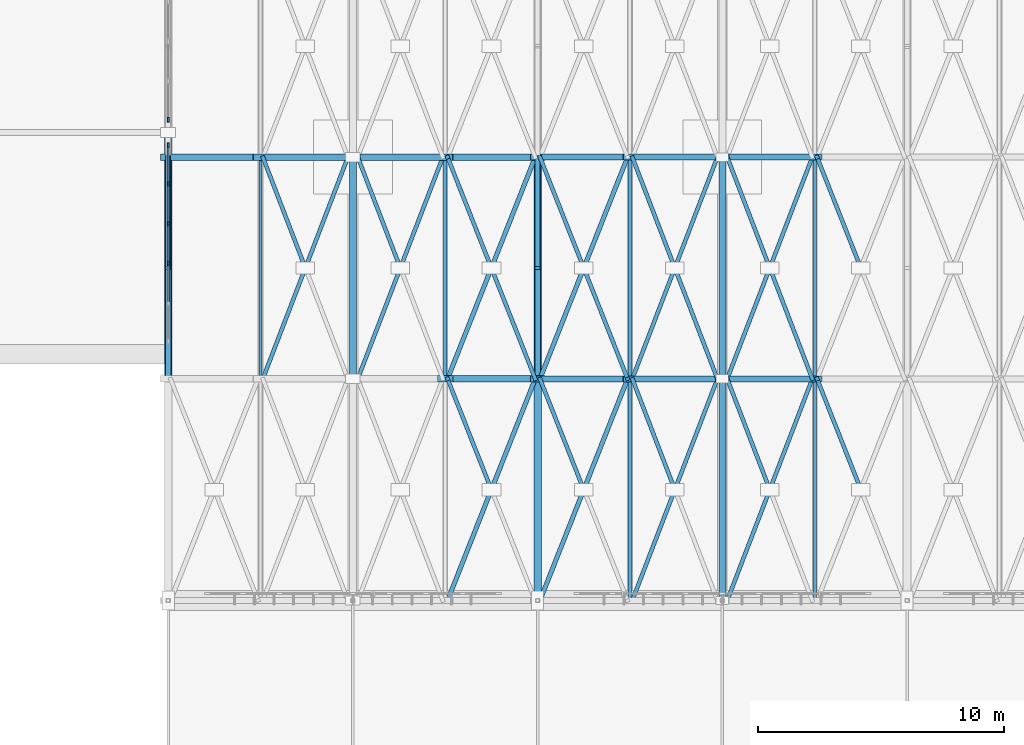
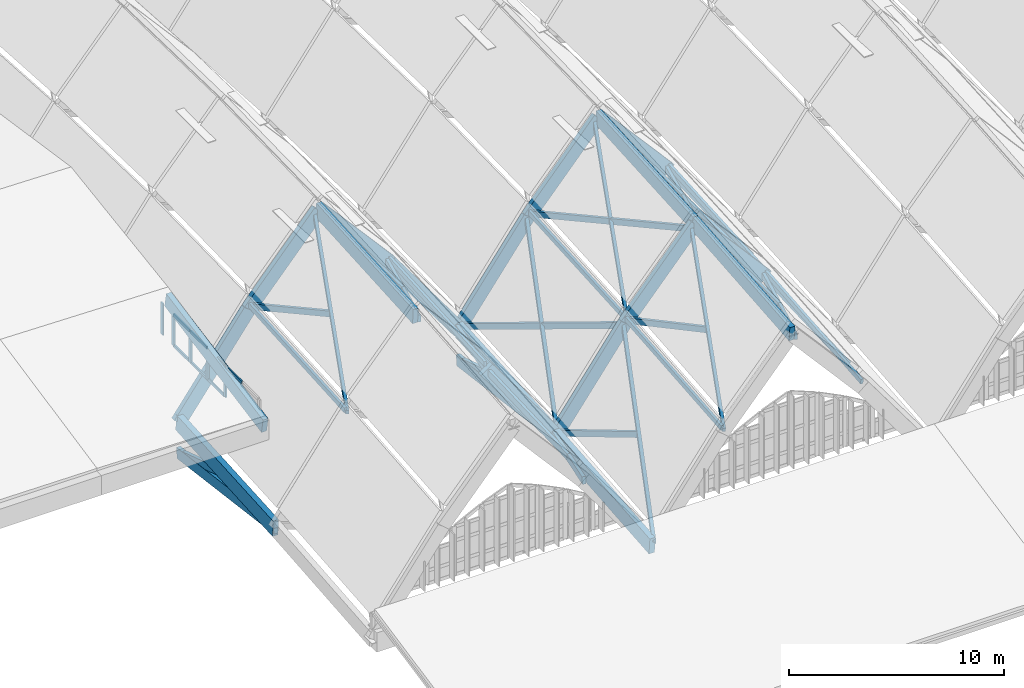
# One storey, part 25 of 93: 48 members, 18 beams, 2 elements without a shape of their own.
"""IFC4 building model written with IfcOpenShell, lengths in metres."""

from ifc_helpers import new_model, si_unit, direction, frame, origin, origin_2d, place, context, subcontext, project, spatial, rectangle, extrude, material, material_profile, profile_set, type_object, element, aggregate, save


model = new_model("IFC4")

# Units and contexts
model_context = context("Model", 3, precision=1e-05, world=origin(), true_north=direction((0.0, 1.0)))
body_context = subcontext(model_context, "Body", "Model", "MODEL_VIEW")
ifc_project = project(units=[si_unit("LENGTHUNIT", "METRE"), si_unit("AREAUNIT", "SQUARE_METRE"), si_unit("VOLUMEUNIT", "CUBIC_METRE"), si_unit("PLANEANGLEUNIT", "RADIAN"), si_unit("MASSUNIT", "GRAM", prefix="KILO")], contexts=[model_context])

# Site, building, storey
site_placement = place(None, origin())
site = spatial("IfcSite", under=ifc_project, at=site_placement, CompositionType="ELEMENT")
building_placement = place(site_placement, origin())
building = spatial("IfcBuilding", under=site, at=building_placement, Name="Vourika Railside Aquatics Centre", CompositionType="ELEMENT")
storey_placement = place(building_placement, frame((0.0, 0.0, 21.89990234375)))
storey = spatial("IfcBuildingStorey", under=building, at=storey_placement, Name="Roof", CompositionType="ELEMENT", Elevation=21.89990234375)

# Beams
ifc_material_1 = material(Name="Glulam GL32h", Category="wood")
ifc_material_profile_1 = material_profile(ifc_material_1, rectangle(XDim=0.239990234375, YDim=0.719970703125, at=origin_2d()), Name="GL32h 240x720")
ifc_profile_set_1 = profile_set([ifc_material_profile_1], Name="Glulam GL32h")
beam_type_1 = type_object("IfcBeamType", Name="BM-GL-ARCH-240x720", PredefinedType="BEAM", material=ifc_profile_set_1)
beam_1_placement = place(storey_placement, frame((51.0, 21.0, -10.89990234375), z_axis=(0.592383087934, 0.0, 0.805656426233), x_axis=(0.0, 1.0, 0.0)))
element("IfcBeam", 1, at=beam_1_placement, inside=storey, type_object=beam_type_1, Name="Pointed Glulam Vault Arch Rib GAR-0039", PredefinedType="BEAM", context=body_context, shape_type="SweptSolid", body=[
    extrude(rectangle(XDim=0.239990234375, YDim=0.719970703125, at=origin_2d()), origin(), (0.0, 0.0, 1.0), 6.330322265625),
])
for number, where, z_axis, x_axis, name in (
    (2, (54.75, 21.0, -5.7998046875), (0.657279819973, 0.0, 0.753646626912), (0.0, 1.0, 0.0), "Pointed Glulam Vault Arch Rib GAR-0040"),
    (3, (58.5, 21.0, -1.5), (0.657279819973, 0.0, -0.753646626912), (0.0, 1.0, 0.0), "Pointed Glulam Vault Arch Rib GAR-0041"),
):
    element("IfcBeam", number, at=place(storey_placement, frame(where, z_axis=z_axis, x_axis=x_axis)), inside=storey, type_object=beam_type_1, Name=name, PredefinedType="BEAM", context=body_context, shape_type="SweptSolid", body=[
        extrude(rectangle(XDim=0.239990234375, YDim=0.719970703125, at=origin_2d()), origin(), (0.0, 0.0, 1.0), 5.705322265625),
    ])
beam_2_placement = place(storey_placement, frame((51.0, 30.0, -10.314208984375), z_axis=(0.592401494544, 0.0, 0.805642891896), x_axis=(0.0, 1.0, 0.0)))
element("IfcBeam", 4, at=beam_2_placement, inside=storey, type_object=beam_type_1, Name="Pointed Glulam Vault Arch Rib GAR-0043", PredefinedType="BEAM", context=body_context, shape_type="SweptSolid", body=[
    extrude(rectangle(XDim=0.239990234375, YDim=0.719970703125, at=origin_2d()), origin(), (0.0, 0.0, 1.0), 6.330078125),
])
for number, where, z_axis, x_axis, name in (
    (5, (54.75, 30.0, -5.21435546875), (0.657258623263, 0.0, 0.75366511273), (0.0, 1.0, 0.0), "Pointed Glulam Vault Arch Rib GAR-0044"),
    (6, (58.5, 30.0, -0.914306640625), (0.657258623263, 0.0, -0.75366511273), (0.0, 1.0, 0.0), "Pointed Glulam Vault Arch Rib GAR-0045"),
):
    element("IfcBeam", number, at=place(storey_placement, frame(where, z_axis=z_axis, x_axis=x_axis)), inside=storey, type_object=beam_type_1, Name=name, PredefinedType="BEAM", context=body_context, shape_type="SweptSolid", body=[
        extrude(rectangle(XDim=0.239990234375, YDim=0.719970703125, at=origin_2d()), origin(), (0.0, 0.0, 1.0), 5.70556640625),
    ])
ifc_material_profile_2 = material_profile(ifc_material_1, rectangle(XDim=0.260009765625, YDim=0.760009765625, at=origin_2d()), Name="GL32h 260x760")
ifc_profile_set_2 = profile_set([ifc_material_profile_2], Name="Glulam GL32h")
beam_type_2 = type_object("IfcBeamType", Name="BM-GL-ARCH-260x760", PredefinedType="BEAM", material=ifc_profile_set_2)
beam_3_placement = place(storey_placement, frame((47.25, 21.0, -5.7998046875), z_axis=(0.592383087934, 0.0, -0.805656426233), x_axis=(0.0, 1.0, 0.0)))
element("IfcBeam", 7, at=beam_3_placement, inside=storey, type_object=beam_type_2, Name="Pointed Glulam Vault Arch Rib GAR-0008", PredefinedType="BEAM", context=body_context, shape_type="SweptSolid", body=[
    extrude(rectangle(XDim=0.260009765625, YDim=0.760009765625, at=origin_2d()), origin(), (0.0, 0.0, 1.0), 6.330322265625),
])
beam_4_placement = place(storey_placement, frame((36.0, 30.0, -10.314208984375), z_axis=(0.592401494544, 0.0, 0.805642891896), x_axis=(0.0, 1.0, 0.0)))
element("IfcBeam", 8, at=beam_4_placement, inside=storey, type_object=beam_type_2, Name="Pointed Glulam Vault Arch Rib GAR-0009", PredefinedType="BEAM", context=body_context, shape_type="SweptSolid", body=[
    extrude(rectangle(XDim=0.260009765625, YDim=0.760009765625, at=origin_2d()), origin(), (0.0, 0.0, 1.0), 6.330078125),
])
for number, where, z_axis, x_axis, name in (
    (9, (39.75, 30.0, -5.21435546875), (0.657258623263, 0.0, 0.75366511273), (0.0, 1.0, 0.0), "Pointed Glulam Vault Arch Rib GAR-0010"),
    (10, (43.5, 30.0, -0.914306640625), (0.657258623263, 0.0, -0.75366511273), (0.0, 1.0, 0.0), "Pointed Glulam Vault Arch Rib GAR-0011"),
):
    element("IfcBeam", number, at=place(storey_placement, frame(where, z_axis=z_axis, x_axis=x_axis)), inside=storey, type_object=beam_type_2, Name=name, PredefinedType="BEAM", context=body_context, shape_type="SweptSolid", body=[
        extrude(rectangle(XDim=0.260009765625, YDim=0.760009765625, at=origin_2d()), origin(), (0.0, 0.0, 1.0), 5.70556640625),
    ])
beam_5_placement = place(storey_placement, frame((47.25, 30.0, -5.21435546875), z_axis=(0.592401494544, 0.0, -0.805642891896), x_axis=(0.0, 1.0, 0.0)))
element("IfcBeam", 11, at=beam_5_placement, inside=storey, type_object=beam_type_2, Name="Pointed Glulam Vault Arch Rib GAR-0012", PredefinedType="BEAM", context=body_context, shape_type="SweptSolid", body=[
    extrude(rectangle(XDim=0.260009765625, YDim=0.760009765625, at=origin_2d()), origin(), (0.0, 0.0, 1.0), 6.330078125),
])
ifc_material_profile_3 = material_profile(ifc_material_1, rectangle(XDim=0.280029296875, YDim=0.800048828125, at=origin_2d()), Name="GL32h 280x800")
ifc_profile_set_3 = profile_set([ifc_material_profile_3], Name="Glulam GL32h")
beam_type_3 = type_object("IfcBeamType", Name="BM-GL-RIDGE-280x800", PredefinedType="BEAM", material=ifc_profile_set_3)
beam_6_placement = place(storey_placement, frame((58.5, 12.0, -2.2998046875), z_axis=(0.0, 0.996074546839, 0.088518343518), x_axis=(-1.0, 0.0, 0.0)))
element("IfcBeam", 12, at=beam_6_placement, inside=storey, type_object=beam_type_3, Name="Vault Pointed Ridge Beam GRB-0063", PredefinedType="BEAM", context=body_context, shape_type="SweptSolid", body=[
    extrude(rectangle(XDim=0.280029296875, YDim=0.800048828125, at=origin_2d()), origin(), (0.0, 0.0, 1.0), 9.035400390625),
])
beam_7_placement = place(storey_placement, frame((58.5, 21.0, -1.5), z_axis=(0.0, 0.997889191565, 0.064939674766), x_axis=(-1.0, 0.0, 0.0)))
element("IfcBeam", 13, at=beam_7_placement, inside=storey, type_object=beam_type_3, Name="Vault Pointed Ridge Beam GRB-0064", PredefinedType="BEAM", context=body_context, shape_type="SweptSolid", body=[
    extrude(rectangle(XDim=0.280029296875, YDim=0.800048828125, at=origin_2d()), origin(), (0.0, 0.0, 1.0), 9.01904296875),
])
beam_8_placement = place(storey_placement, frame((36.0, 22.0, -5.699951171875), z_axis=(0.0, 0.982224343005, 0.187710788207), x_axis=(-1.0, 0.0, 0.0)))
element("IfcBeam", 14, at=beam_8_placement, inside=storey, type_object=beam_type_3, Name="Diving Roof Truss Arch Rib DAR-0255", PredefinedType="BEAM", context=body_context, shape_type="SweptSolid", body=[
    extrude(rectangle(XDim=0.280029296875, YDim=0.800048828125, at=origin_2d()), origin(), (0.0, 0.0, 1.0), 9.162841796875),
])
ifc_material_profile_4 = material_profile(ifc_material_1, rectangle(XDim=0.280029296875, YDim=0.840087890625, at=origin_2d()), Name="GL32h 280x840")
ifc_profile_set_4 = profile_set([ifc_material_profile_4], Name="Glulam GL32h")
beam_type_4 = type_object("IfcBeamType", Name="BM-GL-RIDGE-280x840", PredefinedType="BEAM", material=ifc_profile_set_4)
beam_9_placement = place(storey_placement, frame((43.5, 21.0, -1.5), z_axis=(0.0, 0.997889191565, 0.064939674766), x_axis=(-1.0, 0.0, 0.0)))
element("IfcBeam", 15, at=beam_9_placement, inside=storey, type_object=beam_type_4, Name="Vault Pointed Ridge Beam GRB-0030", PredefinedType="BEAM", context=body_context, shape_type="SweptSolid", body=[
    extrude(rectangle(XDim=0.280029296875, YDim=0.840087890625, at=origin_2d()), origin(), (0.0, 0.0, 1.0), 9.01904296875),
])
ifc_material_profile_5 = material_profile(ifc_material_1, rectangle(XDim=0.300048828125, YDim=0.89990234375, at=origin_2d()), Name="GL32h 300x900")
ifc_profile_set_5 = profile_set([ifc_material_profile_5], Name="Glulam GL32h")
beam_type_5 = type_object("IfcBeamType", Name="BM-GL-VAL-300x900", PredefinedType="BEAM", material=ifc_profile_set_5)
beam_10_placement = place(storey_placement, frame((36.0, 21.0, -10.89990234375), z_axis=(0.0, 0.997889191565, 0.064939674766), x_axis=(-1.0, 0.0, 0.0)))
element("IfcBeam", 16, at=beam_10_placement, inside=storey, type_object=beam_type_5, Name="Vault Valley Arch Rib VTR-002", PredefinedType="BEAM", context=body_context, shape_type="SweptSolid", body=[
    extrude(rectangle(XDim=0.300048828125, YDim=0.89990234375, at=origin_2d()), origin(), (0.0, 0.0, 1.0), 9.01904296875),
])
beam_11_placement = place(storey_placement, frame((51.0, 12.0, -11.699951171875), z_axis=(0.0, 0.996072164085, 0.088545151956), x_axis=(-1.0, 0.0, 0.0)))
element("IfcBeam", 17, at=beam_11_placement, inside=storey, type_object=beam_type_5, Name="Vault Valley Arch Rib VTR-007", PredefinedType="BEAM", context=body_context, shape_type="SweptSolid", body=[
    extrude(rectangle(XDim=0.300048828125, YDim=0.89990234375, at=origin_2d()), origin(), (0.0, 0.0, 1.0), 9.035400390625),
])
beam_12_placement = place(storey_placement, frame((51.0, 21.0, -10.89990234375), z_axis=(0.0, 0.997889191565, 0.064939674766), x_axis=(-1.0, 0.0, 0.0)))
element("IfcBeam", 18, at=beam_12_placement, inside=storey, type_object=beam_type_5, Name="Vault Valley Arch Rib VTR-008", PredefinedType="BEAM", context=body_context, shape_type="SweptSolid", body=[
    extrude(rectangle(XDim=0.300048828125, YDim=0.89990234375, at=origin_2d()), origin(), (0.0, 0.0, 1.0), 9.01904296875),
])

# Curtain wall, members
ifc_material_2 = material(Name="Anodized thermally broken aluminium", Category="aluminium")
curtain_wall_type = type_object("IfcCurtainWallType", Name="CW-DIVEE", PredefinedType="NOTDEFINED", material=ifc_material_2)
curtain_wall_1_placement = place(storey_placement, origin())
curtain_wall_1 = element("IfcCurtainWall", 19, at=curtain_wall_1_placement, inside=storey, type_object=curtain_wall_type, Name="Diving Hall East Clerestory Curtain Wall 1", PredefinedType="NOTDEFINED")
ifc_material_3 = material(Name="Anodized aluminium mullion", Category="aluminium")
ifc_material_profile_6 = material_profile(ifc_material_3, rectangle(XDim=0.075927734375, YDim=0.205078125, at=origin_2d()), Name="ALU-M 76x205")
ifc_profile_set_6 = profile_set([ifc_material_profile_6], Name="Anodized aluminium mullion")
member_type_1 = type_object("IfcMemberType", Name="CWM-DIVEE", PredefinedType="MULLION", material=ifc_profile_set_6)
member_1_placement = place(storey_placement, frame((36.0, 25.696044921875, -6.2998046875), z_axis=(0.0, 0.0, 1.0), x_axis=(-1.0, 0.0, 0.0)))
member_1 = element("IfcMember", 20, at=member_1_placement, type_object=member_type_1, Name="CW06 mullion 3", PredefinedType="MULLION", context=body_context, shape_type="SweptSolid", body=[
    extrude(rectangle(XDim=0.075927734375, YDim=0.205078125, at=origin_2d()), origin(), (0.0, 0.0, 1.0), 1.7998046875),
])
member_2_placement = place(storey_placement, frame((36.0, 27.303955078125, -6.2998046875), z_axis=(0.0, 0.0, 1.0), x_axis=(-1.0, 0.0, 0.0)))
member_2 = element("IfcMember", 21, at=member_2_placement, type_object=member_type_1, Name="CW06 mullion 4", PredefinedType="MULLION", context=body_context, shape_type="SweptSolid", body=[
    extrude(rectangle(XDim=0.075927734375, YDim=0.205078125, at=origin_2d()), origin(), (0.0, 0.0, 1.0), 1.7998046875),
])
member_3_placement = place(storey_placement, frame((36.0, 28.912109375, -6.2998046875), z_axis=(0.0, 0.0, 1.0), x_axis=(-1.0, 0.0, 0.0)))
member_3 = element("IfcMember", 22, at=member_3_placement, type_object=member_type_1, Name="CW06 mullion 5", PredefinedType="MULLION", context=body_context, shape_type="SweptSolid", body=[
    extrude(rectangle(XDim=0.075927734375, YDim=0.205078125, at=origin_2d()), origin(), (0.0, 0.0, 1.0), 1.7998046875),
])
member_4_placement = place(storey_placement, frame((36.0, 30.48193359375, -6.2998046875), z_axis=(0.0, 0.0, 1.0), x_axis=(-1.0, 0.0, 0.0)))
member_4 = element("IfcMember", 23, at=member_4_placement, type_object=member_type_1, Name="CW06 mullion 6", PredefinedType="MULLION", context=body_context, shape_type="SweptSolid", body=[
    extrude(rectangle(XDim=0.075927734375, YDim=0.205078125, at=origin_2d()), origin(), (0.0, 0.0, 1.0), 1.7998046875),
])

# Curtain wall, member
curtain_wall_2_placement = place(storey_placement, origin())
curtain_wall_2 = element("IfcCurtainWall", 24, at=curtain_wall_2_placement, inside=storey, type_object=curtain_wall_type, Name="Diving Hall East Clerestory Curtain Wall 2", PredefinedType="NOTDEFINED")
member_5_placement = place(storey_placement, frame((36.0, 31.51806640625, -6.2998046875), z_axis=(0.0, 0.0, 1.0), x_axis=(-1.0, 0.0, 0.0)))
member_5 = element("IfcMember", 25, at=member_5_placement, type_object=member_type_1, Name="CW06 mullion 1", PredefinedType="MULLION", context=body_context, shape_type="SweptSolid", body=[
    extrude(rectangle(XDim=0.075927734375, YDim=0.205078125, at=origin_2d()), origin(), (0.0, 0.0, 1.0), 1.7998046875),
])
aggregate(curtain_wall_2, [member_5])

# Member
ifc_material_4 = material(Name="Anodized aluminium transom", Category="aluminium")
ifc_material_profile_7 = material_profile(ifc_material_4, rectangle(XDim=0.075927734375, YDim=0.162109375, at=origin_2d()), Name="ALU-T 76x162")
ifc_profile_set_7 = profile_set([ifc_material_profile_7], Name="Anodized aluminium transom")
member_type_2 = type_object("IfcMemberType", Name="CWT-DIVEE", PredefinedType="USERDEFINED", material=ifc_profile_set_7)
member_6_placement = place(storey_placement, frame((36.0, 24.1259765625, -4.537841796875), z_axis=(0.0, 1.0, 0.0), x_axis=(-1.0, 0.0, 0.0)))
member_6 = element("IfcMember", 26, at=member_6_placement, type_object=member_type_2, Name="CW06 transom 2.2", ObjectType="TRANSOM", PredefinedType="USERDEFINED", context=body_context, shape_type="SweptSolid", body=[
    extrude(rectangle(XDim=0.075927734375, YDim=0.162109375, at=origin_2d()), origin(), (0.0, 0.0, 1.0), 1.531982421875),
])

member_7_placement = place(storey_placement, frame((36.0, 25.73388671875, -6.261962890625), z_axis=(0.0, 1.0, 0.0), x_axis=(-1.0, 0.0, 0.0)))
member_7 = element("IfcMember", 27, at=member_7_placement, type_object=member_type_2, Name="CW06 transom 3.1", ObjectType="TRANSOM", PredefinedType="USERDEFINED", context=body_context, shape_type="SweptSolid", body=[
    extrude(rectangle(XDim=0.075927734375, YDim=0.162109375, at=origin_2d()), origin(), (0.0, 0.0, 1.0), 1.5322265625),
])

member_8_placement = place(storey_placement, frame((36.0, 25.73388671875, -4.537841796875), z_axis=(0.0, 1.0, 0.0), x_axis=(-1.0, 0.0, 0.0)))
member_8 = element("IfcMember", 28, at=member_8_placement, type_object=member_type_2, Name="CW06 transom 3.2", ObjectType="TRANSOM", PredefinedType="USERDEFINED", context=body_context, shape_type="SweptSolid", body=[
    extrude(rectangle(XDim=0.075927734375, YDim=0.162109375, at=origin_2d()), origin(), (0.0, 0.0, 1.0), 1.5322265625),
])

member_9_placement = place(storey_placement, frame((36.0, 27.342041015625, -6.261962890625), z_axis=(0.0, 1.0, 0.0), x_axis=(-1.0, 0.0, 0.0)))
member_9 = element("IfcMember", 29, at=member_9_placement, type_object=member_type_2, Name="CW06 transom 4.1", ObjectType="TRANSOM", PredefinedType="USERDEFINED", context=body_context, shape_type="SweptSolid", body=[
    extrude(rectangle(XDim=0.075927734375, YDim=0.162109375, at=origin_2d()), origin(), (0.0, 0.0, 1.0), 1.531982421875),
])

member_10_placement = place(storey_placement, frame((36.0, 27.342041015625, -4.537841796875), z_axis=(0.0, 1.0, 0.0), x_axis=(-1.0, 0.0, 0.0)))
member_10 = element("IfcMember", 30, at=member_10_placement, type_object=member_type_2, Name="CW06 transom 4.2", ObjectType="TRANSOM", PredefinedType="USERDEFINED", context=body_context, shape_type="SweptSolid", body=[
    extrude(rectangle(XDim=0.075927734375, YDim=0.162109375, at=origin_2d()), origin(), (0.0, 0.0, 1.0), 1.531982421875),
])

member_11_placement = place(storey_placement, frame((36.0, 28.949951171875, -6.261962890625), z_axis=(0.0, 1.0, 0.0), x_axis=(-1.0, 0.0, 0.0)))
member_11 = element("IfcMember", 31, at=member_11_placement, type_object=member_type_2, Name="CW06 transom 5.1", ObjectType="TRANSOM", PredefinedType="USERDEFINED", context=body_context, shape_type="SweptSolid", body=[
    extrude(rectangle(XDim=0.075927734375, YDim=0.162109375, at=origin_2d()), origin(), (0.0, 0.0, 1.0), 1.494140625),
])

member_12_placement = place(storey_placement, frame((36.0, 28.949951171875, -4.537841796875), z_axis=(0.0, 1.0, 0.0), x_axis=(-1.0, 0.0, 0.0)))
member_12 = element("IfcMember", 32, at=member_12_placement, type_object=member_type_2, Name="CW06 transom 5.2", ObjectType="TRANSOM", PredefinedType="USERDEFINED", context=body_context, shape_type="SweptSolid", body=[
    extrude(rectangle(XDim=0.075927734375, YDim=0.162109375, at=origin_2d()), origin(), (0.0, 0.0, 1.0), 1.494140625),
])

aggregate(curtain_wall_1, [member_1, member_2, member_3, member_4, member_6, member_7, member_8, member_9, member_10, member_11, member_12])

# Members
ifc_material_profile_8 = material_profile(ifc_material_1, rectangle(XDim=0.219970703125, YDim=0.60009765625, at=origin_2d()), Name="GL32h 220x600")
ifc_profile_set_8 = profile_set([ifc_material_profile_8], Name="Glulam GL32h")
member_type_3 = type_object("IfcMemberType", Name="MEM-GL-CHORD", PredefinedType="CHORD", material=ifc_profile_set_8)
for number, where, z_axis, x_axis, name in (
    (33, (36.0, 21.0, -10.89990234375), (0.0, 0.991735627786, -0.128298264131), (-1.0, 0.0, 0.0), "Valley Arch Truss Bottom Chord VBC-002"),
    (34, (51.0, 21.0, -10.89990234375), (0.0, 0.991735627786, -0.128298264131), (-1.0, 0.0, 0.0), "Valley Arch Truss Bottom Chord VBC-008"),
):
    element("IfcMember", number, at=place(storey_placement, frame(where, z_axis=z_axis, x_axis=x_axis)), inside=storey, type_object=member_type_3, Name=name, PredefinedType="CHORD", context=body_context, shape_type="SweptSolid", body=[
        extrude(rectangle(XDim=0.219970703125, YDim=0.60009765625, at=origin_2d()), origin(), (0.0, 0.0, 1.0), 9.074951171875),
    ])
ifc_material_5 = material(Name="Glulam GL28h", Category="wood")
ifc_material_profile_9 = material_profile(ifc_material_5, rectangle(XDim=0.179931640625, YDim=0.360107421875, at=origin_2d()), Name="GL28h 180x360")
ifc_profile_set_9 = profile_set([ifc_material_profile_9], Name="Glulam GL28h")
member_type_4 = type_object("IfcMemberType", Name="MEM-GL-LATH1", PredefinedType="BRACE", material=ifc_profile_set_9)
member_13_placement = place(storey_placement, frame((47.344970703125, 12.0, -6.72021484375), z_axis=(0.339219023139, 0.857562067548, -0.386675257346), x_axis=(-0.929892910811, 0.367830360933, 0.0)))
element("IfcMember", 35, at=member_13_placement, inside=storey, type_object=member_type_4, Name="Gridshell Continuous Diagonal Lath GLA-0009", PredefinedType="BRACE", context=body_context, shape_type="SweptSolid", body=[
    extrude(rectangle(XDim=0.179931640625, YDim=0.360107421875, at=origin_2d()), origin(), (0.0, 0.0, 1.0), 10.494873046875),
])
member_14_placement = place(storey_placement, frame((47.344970703125, 21.0, -5.92138671875), z_axis=(0.336558619113, 0.85083643773, -0.403491824121), x_axis=(-0.929892910811, 0.367830360933, 0.0)))
element("IfcMember", 36, at=member_14_placement, inside=storey, type_object=member_type_4, Name="Gridshell Continuous Diagonal Lath GLA-0017", PredefinedType="BRACE", context=body_context, shape_type="SweptSolid", body=[
    extrude(rectangle(XDim=0.179931640625, YDim=0.360107421875, at=origin_2d()), origin(), (0.0, 0.0, 1.0), 10.577880859375),
])
member_15_placement = place(storey_placement, frame((51.094970703125, 12.0, -11.56201171875), z_axis=(0.318017835503, 0.80396444164, 0.502499584956), x_axis=(-0.929892910811, 0.367830360933, 0.0)))
element("IfcMember", 37, at=member_15_placement, inside=storey, type_object=member_type_4, Name="Gridshell Continuous Diagonal Lath GLA-0053", PredefinedType="BRACE", context=body_context, shape_type="SweptSolid", body=[
    extrude(rectangle(XDim=0.179931640625, YDim=0.360107421875, at=origin_2d()), origin(), (0.0, 0.0, 1.0), 11.194580078125),
])
member_16_placement = place(storey_placement, frame((51.094970703125, 21.0, -10.76318359375), z_axis=(0.321000574365, 0.811504949484, 0.488281013577), x_axis=(-0.929892910811, 0.367830360933, 0.0)))
element("IfcMember", 38, at=member_16_placement, inside=storey, type_object=member_type_4, Name="Gridshell Continuous Diagonal Lath GLA-0063", PredefinedType="BRACE", context=body_context, shape_type="SweptSolid", body=[
    extrude(rectangle(XDim=0.179931640625, YDim=0.360107421875, at=origin_2d()), origin(), (0.0, 0.0, 1.0), 11.090576171875),
])
ifc_material_profile_10 = material_profile(ifc_material_5, rectangle(XDim=0.159912109375, YDim=0.320068359375, at=origin_2d()), Name="GL28h 160x320")
ifc_profile_set_10 = profile_set([ifc_material_profile_10], Name="Glulam GL28h")
member_type_5 = type_object("IfcMemberType", Name="MEM-GL-LATH2", PredefinedType="BRACE", material=ifc_profile_set_10)
member_17_placement = place(storey_placement, frame((49.125, 16.5, -8.74951171875), z_axis=(-0.318014350334, 0.803955630964, 0.502515886737), x_axis=(-0.929892910811, -0.367830360933, 0.0)))
element("IfcMember", 39, at=member_17_placement, inside=storey, type_object=member_type_5, Name="Gridshell Split Counter Lath GLB2-0010", PredefinedType="BRACE", context=body_context, shape_type="SweptSolid", body=[
    extrude(rectangle(XDim=0.159912109375, YDim=0.320068359375, at=origin_2d()), origin(), (0.0, 0.0, 1.0), 5.597412109375),
])
member_18_placement = place(storey_placement, frame((39.844970703125, 21.0, -5.683349609375), z_axis=(0.324299099527, 0.844754240035, 0.425699856693), x_axis=(-0.933569951957, 0.358395235463, 0.0)))
element("IfcMember", 40, at=member_18_placement, inside=storey, type_object=member_type_5, Name="Gridshell Continuous Diagonal Lath GLA-0013", PredefinedType="BRACE", context=body_context, shape_type="SweptSolid", body=[
    extrude(rectangle(XDim=0.159912109375, YDim=0.320068359375, at=origin_2d()), origin(), (0.0, 0.0, 1.0), 10.654052734375),
])
member_19_placement = place(storey_placement, frame((41.572509765625, 25.5, -3.415771484375), z_axis=(-0.338120523205, 0.8807571345, -0.331574097021), x_axis=(-0.933569951957, -0.358395235463, 0.0)))
element("IfcMember", 41, at=member_19_placement, inside=storey, type_object=member_type_5, Name="Gridshell Split Counter Lath GLB2-0014", PredefinedType="BRACE", context=body_context, shape_type="SweptSolid", body=[
    extrude(rectangle(XDim=0.159912109375, YDim=0.320068359375, at=origin_2d()), origin(), (0.0, 0.0, 1.0), 5.109130859375),
])
member_20_placement = place(storey_placement, frame((43.699951171875, 21.0, -1.7216796875), z_axis=(0.338120523205, 0.8807571345, -0.331574097021), x_axis=(-0.933569951957, 0.358395235463, 0.0)))
element("IfcMember", 42, at=member_20_placement, inside=storey, type_object=member_type_5, Name="Gridshell Continuous Diagonal Lath GLA-0015", PredefinedType="BRACE", context=body_context, shape_type="SweptSolid", body=[
    extrude(rectangle(XDim=0.159912109375, YDim=0.320068359375, at=origin_2d()), origin(), (0.0, 0.0, 1.0), 10.218505859375),
])
member_21_placement = place(storey_placement, frame((45.427490234375, 25.5, -3.415771484375), z_axis=(-0.324295935921, 0.844745999277, 0.425718619102), x_axis=(-0.933569951957, -0.358395235463, 0.0)))
element("IfcMember", 43, at=member_21_placement, inside=storey, type_object=member_type_5, Name="Gridshell Split Counter Lath GLB2-0016", PredefinedType="BRACE", context=body_context, shape_type="SweptSolid", body=[
    extrude(rectangle(XDim=0.159912109375, YDim=0.320068359375, at=origin_2d()), origin(), (0.0, 0.0, 1.0), 5.3271484375),
])
member_22_placement = place(storey_placement, frame((50.905029296875, 21.0, -10.76318359375), z_axis=(-0.320997123983, 0.811496226753, 0.48829777837), x_axis=(-0.929892910811, -0.367830360933, 0.0)))
element("IfcMember", 44, at=member_22_placement, inside=storey, type_object=member_type_5, Name="Gridshell Split Counter Lath GLB1-0018", PredefinedType="BRACE", context=body_context, shape_type="SweptSolid", body=[
    extrude(rectangle(XDim=0.159912109375, YDim=0.320068359375, at=origin_2d()), origin(), (0.0, 0.0, 1.0), 5.54541015625),
])
member_23_placement = place(storey_placement, frame((49.125, 25.5, -8.055419921875), z_axis=(-0.321004024702, 0.811513672104, 0.488264248244), x_axis=(-0.929892910811, -0.367830360933, 0.0)))
element("IfcMember", 45, at=member_23_placement, inside=storey, type_object=member_type_5, Name="Gridshell Split Counter Lath GLB2-0018", PredefinedType="BRACE", context=body_context, shape_type="SweptSolid", body=[
    extrude(rectangle(XDim=0.159912109375, YDim=0.320068359375, at=origin_2d()), origin(), (0.0, 0.0, 1.0), 5.545166015625),
])
member_24_placement = place(storey_placement, frame((52.875, 16.5, -8.74951171875), z_axis=(-0.339225125603, 0.857577494874, -0.386635686979), x_axis=(-0.929892910811, -0.367830360933, 0.0)))
element("IfcMember", 46, at=member_24_placement, inside=storey, type_object=member_type_5, Name="Gridshell Split Counter Lath GLB2-0054", PredefinedType="BRACE", context=body_context, shape_type="SweptSolid", body=[
    extrude(rectangle(XDim=0.159912109375, YDim=0.320068359375, at=origin_2d()), origin(), (0.0, 0.0, 1.0), 5.247314453125),
])
member_25_placement = place(storey_placement, frame((54.844970703125, 12.0, -6.482177734375), z_axis=(0.321550791273, 0.837595277664, 0.441632471028), x_axis=(-0.933569951957, 0.358395235463, 0.0)))
element("IfcMember", 47, at=member_25_placement, inside=storey, type_object=member_type_5, Name="Gridshell Continuous Diagonal Lath GLA-0055", PredefinedType="BRACE", context=body_context, shape_type="SweptSolid", body=[
    extrude(rectangle(XDim=0.159912109375, YDim=0.320068359375, at=origin_2d()), origin(), (0.0, 0.0, 1.0), 10.7451171875),
])
member_26_placement = place(storey_placement, frame((56.572509765625, 16.5, -4.109619140625), z_axis=(-0.340380210662, 0.886643307367, -0.313057435131), x_axis=(-0.933569951957, -0.358395235463, 0.0)))
element("IfcMember", 48, at=member_26_placement, inside=storey, type_object=member_type_5, Name="Gridshell Split Counter Lath GLB2-0056", PredefinedType="BRACE", context=body_context, shape_type="SweptSolid", body=[
    extrude(rectangle(XDim=0.159912109375, YDim=0.320068359375, at=origin_2d()), origin(), (0.0, 0.0, 1.0), 5.075439453125),
])
member_27_placement = place(storey_placement, frame((58.699951171875, 12.0, -2.5205078125), z_axis=(0.340377647674, 0.886636631138, -0.313079129436), x_axis=(-0.933569951957, 0.358395235463, 0.0)))
element("IfcMember", 49, at=member_27_placement, inside=storey, type_object=member_type_5, Name="Gridshell Continuous Diagonal Lath GLA-0057", PredefinedType="BRACE", context=body_context, shape_type="SweptSolid", body=[
    extrude(rectangle(XDim=0.159912109375, YDim=0.320068359375, at=origin_2d()), origin(), (0.0, 0.0, 1.0), 10.150634765625),
])
member_28_placement = place(storey_placement, frame((60.427490234375, 16.5, -4.109619140625), z_axis=(-0.32154756466, 0.837586872782, 0.441650760448), x_axis=(-0.933569951957, -0.358395235463, 0.0)))
element("IfcMember", 50, at=member_28_placement, inside=storey, type_object=member_type_5, Name="Gridshell Split Counter Lath GLB2-0058", PredefinedType="BRACE", context=body_context, shape_type="SweptSolid", body=[
    extrude(rectangle(XDim=0.159912109375, YDim=0.320068359375, at=origin_2d()), origin(), (0.0, 0.0, 1.0), 5.37255859375),
])
member_29_placement = place(storey_placement, frame((64.125, 16.5, -8.74951171875), z_axis=(-0.318014350334, 0.803955630964, 0.502515886737), x_axis=(-0.929892910811, -0.367830360933, 0.0)))
element("IfcMember", 51, at=member_29_placement, inside=storey, type_object=member_type_5, Name="Gridshell Split Counter Lath GLB2-0060", PredefinedType="BRACE", context=body_context, shape_type="SweptSolid", body=[
    extrude(rectangle(XDim=0.159912109375, YDim=0.320068359375, at=origin_2d()), origin(), (0.0, 0.0, 1.0), 5.597412109375),
])
for number, where, z_axis, x_axis, name in (
    (52, (54.655029296875, 21.0, -5.92138671875), (-0.336558619113, 0.85083643773, -0.403491824121), (-0.929892910811, -0.367830360933, 0.0), "Gridshell Split Counter Lath GLB1-0064"),
    (53, (52.875, 25.5, -8.055419921875), (-0.336558619113, 0.85083643773, -0.403491824121), (-0.929892910811, -0.367830360933, 0.0), "Gridshell Split Counter Lath GLB2-0064"),
):
    element("IfcMember", number, at=place(storey_placement, frame(where, z_axis=z_axis, x_axis=x_axis)), inside=storey, type_object=member_type_5, Name=name, PredefinedType="BRACE", context=body_context, shape_type="SweptSolid", body=[
        extrude(rectangle(XDim=0.159912109375, YDim=0.320068359375, at=origin_2d()), origin(), (0.0, 0.0, 1.0), 5.288818359375),
    ])
member_30_placement = place(storey_placement, frame((54.844970703125, 21.0, -5.683349609375), z_axis=(0.324299099527, 0.844754240035, 0.425699856693), x_axis=(-0.933569951957, 0.358395235463, 0.0)))
element("IfcMember", 54, at=member_30_placement, inside=storey, type_object=member_type_5, Name="Gridshell Continuous Diagonal Lath GLA-0065", PredefinedType="BRACE", context=body_context, shape_type="SweptSolid", body=[
    extrude(rectangle(XDim=0.159912109375, YDim=0.320068359375, at=origin_2d()), origin(), (0.0, 0.0, 1.0), 10.654052734375),
])
for number, where, z_axis, x_axis, name in (
    (55, (58.300048828125, 21.0, -1.7216796875), (-0.338120523205, 0.8807571345, -0.331574097021), (-0.933569951957, -0.358395235463, 0.0), "Gridshell Split Counter Lath GLB1-0066"),
    (56, (56.572509765625, 25.5, -3.415771484375), (-0.338120523205, 0.8807571345, -0.331574097021), (-0.933569951957, -0.358395235463, 0.0), "Gridshell Split Counter Lath GLB2-0066"),
):
    element("IfcMember", number, at=place(storey_placement, frame(where, z_axis=z_axis, x_axis=x_axis)), inside=storey, type_object=member_type_5, Name=name, PredefinedType="BRACE", context=body_context, shape_type="SweptSolid", body=[
        extrude(rectangle(XDim=0.159912109375, YDim=0.320068359375, at=origin_2d()), origin(), (0.0, 0.0, 1.0), 5.109130859375),
    ])
member_31_placement = place(storey_placement, frame((58.699951171875, 21.0, -1.7216796875), z_axis=(0.338120523205, 0.8807571345, -0.331574097021), x_axis=(-0.933569951957, 0.358395235463, 0.0)))
element("IfcMember", 57, at=member_31_placement, inside=storey, type_object=member_type_5, Name="Gridshell Continuous Diagonal Lath GLA-0067", PredefinedType="BRACE", context=body_context, shape_type="SweptSolid", body=[
    extrude(rectangle(XDim=0.159912109375, YDim=0.320068359375, at=origin_2d()), origin(), (0.0, 0.0, 1.0), 10.218505859375),
])
member_32_placement = place(storey_placement, frame((62.155029296875, 21.0, -5.683349609375), z_axis=(-0.324302263056, 0.84476248059, 0.425681093735), x_axis=(-0.933569951957, -0.358395235463, 0.0)))
element("IfcMember", 58, at=member_32_placement, inside=storey, type_object=member_type_5, Name="Gridshell Split Counter Lath GLB1-0068", PredefinedType="BRACE", context=body_context, shape_type="SweptSolid", body=[
    extrude(rectangle(XDim=0.159912109375, YDim=0.320068359375, at=origin_2d()), origin(), (0.0, 0.0, 1.0), 5.326904296875),
])
member_33_placement = place(storey_placement, frame((60.427490234375, 25.5, -3.415771484375), z_axis=(-0.324295935921, 0.844745999277, 0.425718619102), x_axis=(-0.933569951957, -0.358395235463, 0.0)))
element("IfcMember", 59, at=member_33_placement, inside=storey, type_object=member_type_5, Name="Gridshell Split Counter Lath GLB2-0068", PredefinedType="BRACE", context=body_context, shape_type="SweptSolid", body=[
    extrude(rectangle(XDim=0.159912109375, YDim=0.320068359375, at=origin_2d()), origin(), (0.0, 0.0, 1.0), 5.3271484375),
])
member_34_placement = place(storey_placement, frame((64.125, 25.5, -8.055419921875), z_axis=(-0.321004024702, 0.811513672104, 0.488264248244), x_axis=(-0.929892910811, -0.367830360933, 0.0)))
element("IfcMember", 60, at=member_34_placement, inside=storey, type_object=member_type_5, Name="Gridshell Split Counter Lath GLB2-0070", PredefinedType="BRACE", context=body_context, shape_type="SweptSolid", body=[
    extrude(rectangle(XDim=0.159912109375, YDim=0.320068359375, at=origin_2d()), origin(), (0.0, 0.0, 1.0), 5.545166015625),
])
ifc_material_profile_11 = material_profile(ifc_material_5, rectangle(XDim=0.139892578125, YDim=0.280029296875, at=origin_2d()), Name="GL28h 140x280")
ifc_profile_set_11 = profile_set([ifc_material_profile_11], Name="Glulam GL28h")
member_type_6 = type_object("IfcMemberType", Name="MEM-GL-PURLIN", PredefinedType="PURLIN", material=ifc_profile_set_11)
for number, where, z_axis, x_axis, name in (
    (61, (39.75, 21.0, -5.52978515625), (0.0, 0.997890945376, 0.064912719374), (-1.0, 0.0, 0.0), "Vault Timber Purlin GTP-0011"),
    (62, (47.25, 21.0, -5.52978515625), (0.0, 0.997890945376, 0.064912719374), (-1.0, 0.0, 0.0), "Vault Timber Purlin GTP-0012"),
):
    element("IfcMember", number, at=place(storey_placement, frame(where, z_axis=z_axis, x_axis=x_axis)), inside=storey, type_object=member_type_6, Name=name, PredefinedType="PURLIN", context=body_context, shape_type="SweptSolid", body=[
        extrude(rectangle(XDim=0.139892578125, YDim=0.280029296875, at=origin_2d()), origin(), (0.0, 0.0, 1.0), 9.01904296875),
    ])
for number, where, z_axis, x_axis, name in (
    (63, (54.75, 12.0, -6.329833984375), (0.0, 0.996072164085, 0.088545151956), (-1.0, 0.0, 0.0), "Vault Timber Purlin GTP-0051"),
    (64, (62.25, 12.0, -6.329833984375), (0.0, 0.996072164085, 0.088545151956), (-1.0, 0.0, 0.0), "Vault Timber Purlin GTP-0052"),
):
    element("IfcMember", number, at=place(storey_placement, frame(where, z_axis=z_axis, x_axis=x_axis)), inside=storey, type_object=member_type_6, Name=name, PredefinedType="PURLIN", context=body_context, shape_type="SweptSolid", body=[
        extrude(rectangle(XDim=0.139892578125, YDim=0.280029296875, at=origin_2d()), origin(), (0.0, 0.0, 1.0), 9.035400390625),
    ])
for number, where, z_axis, x_axis, name in (
    (65, (54.75, 21.0, -5.52978515625), (0.0, 0.997890945376, 0.064912719374), (-1.0, 0.0, 0.0), "Vault Timber Purlin GTP-0061"),
    (66, (62.25, 21.0, -5.52978515625), (0.0, 0.997890945376, 0.064912719374), (-1.0, 0.0, 0.0), "Vault Timber Purlin GTP-0062"),
):
    element("IfcMember", number, at=place(storey_placement, frame(where, z_axis=z_axis, x_axis=x_axis)), inside=storey, type_object=member_type_6, Name=name, PredefinedType="PURLIN", context=body_context, shape_type="SweptSolid", body=[
        extrude(rectangle(XDim=0.139892578125, YDim=0.280029296875, at=origin_2d()), origin(), (0.0, 0.0, 1.0), 9.01904296875),
    ])
ifc_material_profile_12 = material_profile(ifc_material_5, rectangle(XDim=0.199951171875, YDim=0.39990234375, at=origin_2d()), Name="GL28h 200x400")
ifc_profile_set_12 = profile_set([ifc_material_profile_12], Name="Glulam GL28h")
member_type_7 = type_object("IfcMemberType", Name="MEM-GL-STRUT1", PredefinedType="STRUT", material=ifc_profile_set_12)
for number, where, z_axis, x_axis, name in (
    (67, (36.0, 25.5, -10.607177734375), (0.0, 0.95137335537, -0.308040157598), (-1.0, 0.0, 0.0), "Valley Truss Web Strut VWB-002"),
    (68, (51.0, 25.5, -10.607177734375), (0.0, 0.95137335537, -0.308040157598), (-1.0, 0.0, 0.0), "Valley Truss Web Strut VWB-008"),
):
    element("IfcMember", number, at=place(storey_placement, frame(where, z_axis=z_axis, x_axis=x_axis)), inside=storey, type_object=member_type_7, Name=name, PredefinedType="STRUT", context=body_context, shape_type="SweptSolid", body=[
        extrude(rectangle(XDim=0.199951171875, YDim=0.39990234375, at=origin_2d()), origin(), (0.0, 0.0, 1.0), 4.72998046875),
    ])

save(model, "model.ifc")
